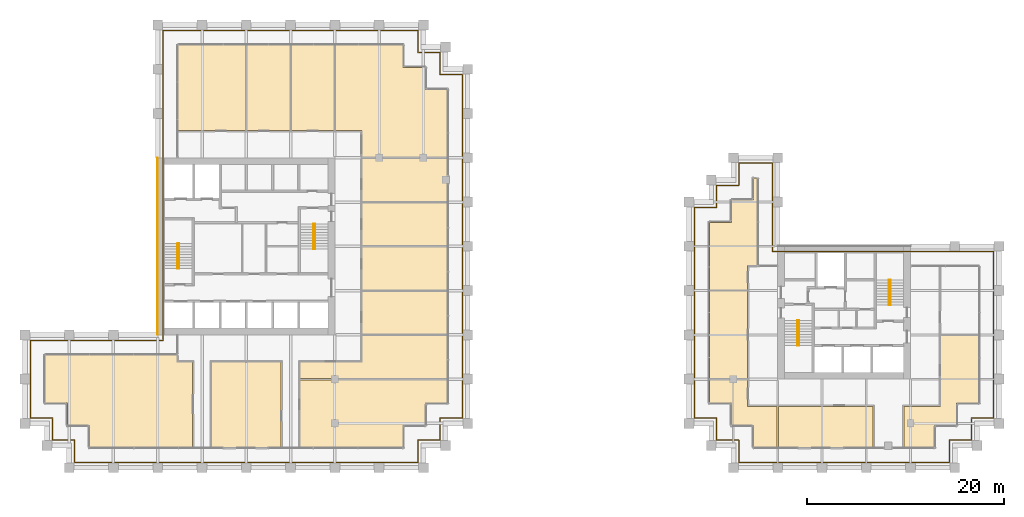
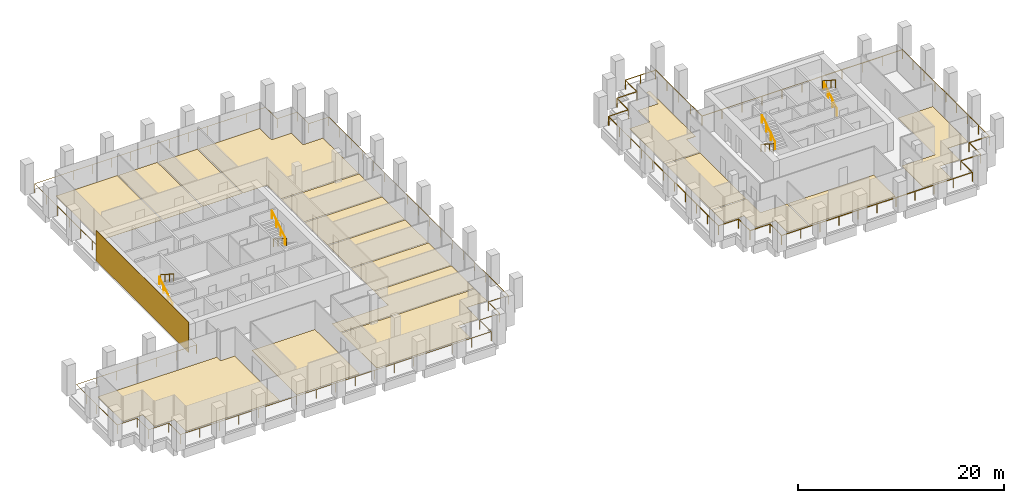
# One storey, part 45 of 46: 18 coverings, 10 railings.
"""IFC4 building model written with IfcOpenShell, lengths in metres."""

from ifc_helpers import new_model, si_unit, direction, frame, origin, origin_2d, place, context, subcontext, project, spatial, polyline, rectangle, circle, outline, extrude, source, transform, mapped, material, layer, layer_set, type_object, element, save


model = new_model("IFC4")

# Units and contexts
model_context = context("Model", 3, precision=1e-05, world=origin(), true_north=direction((0.0, 1.0)))
body_context = subcontext(model_context, "Body", "Model", "MODEL_VIEW")
ifc_project = project(units=[si_unit("LENGTHUNIT", "METRE"), si_unit("AREAUNIT", "SQUARE_METRE"), si_unit("VOLUMEUNIT", "CUBIC_METRE"), si_unit("PLANEANGLEUNIT", "RADIAN"), si_unit("MASSUNIT", "GRAM", prefix="KILO")], contexts=[model_context])

# Site, building, storey
site_placement = place(None, origin())
site = spatial("IfcSite", under=ifc_project, at=site_placement, CompositionType="ELEMENT")
building_placement = place(site_placement, origin())
building = spatial("IfcBuilding", under=site, at=building_placement, Name="Altepetl Exchange Towers", CompositionType="ELEMENT")
storey_placement = place(building_placement, frame((0.0, 0.0, 135.199951171875)))
storey = spatial("IfcBuildingStorey", under=building, at=storey_placement, Name="L33", CompositionType="ELEMENT", Elevation=135.199951171875)

# Coverings
ifc_material_1 = material(Name="Carpet tile")
ifc_layer_1 = layer(ifc_material_1, 0.02001953125)
ifc_layer_set_1 = layer_set([ifc_layer_1], Name="Carpet tile")
covering_type_1 = type_object("IfcCoveringType", Name="Carpet tile floor", PredefinedType="FLOORING", material=ifc_layer_set_1)
covering_1_placement = place(storey_placement, origin())
element("IfcCovering", 1, at=covering_1_placement, inside=storey, type_object=covering_type_1, Name="Fund office floor finish A33.05", PredefinedType="FLOORING", context=body_context, shape_type="SweptSolid", body=[
    extrude(outline(polyline([(69.9375, 44.9375), (61.262451171875, 44.9375), (61.262451171875, 40.5625), (69.9375, 40.5625), (69.9375, 44.9375)])), origin(), (0.0, 0.0, 1.0), 0.02001953125),
])
covering_2_placement = place(storey_placement, origin())
element("IfcCovering", 2, at=covering_2_placement, inside=storey, type_object=covering_type_1, Name="Meeting room floor finish A33.06", PredefinedType="FLOORING", context=body_context, shape_type="SweptSolid", body=[
    extrude(outline(polyline([(69.9375, 49.4375), (61.262451171875, 49.4375), (61.262451171875, 45.0625), (69.9375, 45.0625), (69.9375, 49.4375)])), origin(), (0.0, 0.0, 1.0), 0.02001953125),
])
covering_3_placement = place(storey_placement, origin())
element("IfcCovering", 3, at=covering_3_placement, inside=storey, type_object=covering_type_1, Name="Fund office floor finish A33.07", PredefinedType="FLOORING", context=body_context, shape_type="SweptSolid", body=[
    extrude(outline(polyline([(61.262451171875, 49.5625), (69.9375, 49.5625), (69.9375, 53.9375), (61.262451171875, 53.9375), (61.262451171875, 49.5625)])), origin(), (0.0, 0.0, 1.0), 0.02001953125),
])
covering_4_placement = place(storey_placement, origin())
element("IfcCovering", 4, at=covering_4_placement, inside=storey, type_object=covering_type_1, Name="Meeting room floor finish A33.08", PredefinedType="FLOORING", context=body_context, shape_type="SweptSolid", body=[
    extrude(outline(polyline([(61.262451171875, 54.0625), (69.9375, 54.0625), (69.9375, 58.4375), (61.262451171875, 58.4375), (61.262451171875, 54.0625)])), origin(), (0.0, 0.0, 1.0), 0.02001953125),
])
covering_5_placement = place(storey_placement, origin())
element("IfcCovering", 5, at=covering_5_placement, inside=storey, type_object=covering_type_1, Name="Fund office floor finish A33.10", PredefinedType="FLOORING", context=body_context, shape_type="SweptSolid", body=[
    extrude(outline(polyline([(58.4375, 61.262451171875), (58.4375, 69.9375), (54.0625, 69.9375), (54.0625, 61.262451171875), (58.4375, 61.262451171875)])), origin(), (0.0, 0.0, 1.0), 0.02001953125),
])
covering_6_placement = place(storey_placement, origin())
element("IfcCovering", 6, at=covering_6_placement, inside=storey, type_object=covering_type_1, Name="Meeting room floor finish A33.11", PredefinedType="FLOORING", context=body_context, shape_type="SweptSolid", body=[
    extrude(outline(polyline([(53.9375, 61.262451171875), (53.9375, 69.9375), (49.5625, 69.9375), (49.5625, 61.262451171875), (53.9375, 61.262451171875)])), origin(), (0.0, 0.0, 1.0), 0.02001953125),
])
covering_7_placement = place(storey_placement, origin())
element("IfcCovering", 7, at=covering_7_placement, inside=storey, type_object=covering_type_1, Name="Fund office floor finish B33.01", PredefinedType="FLOORING", context=body_context, shape_type="SweptSolid", body=[
    extrude(outline(polyline([(100.4375, 44.9375), (96.5625, 44.9375), (96.5625, 36.0625), (100.4375, 36.0625), (100.4375, 44.9375)])), origin(), (0.0, 0.0, 1.0), 0.02001953125),
])
covering_8_placement = place(storey_placement, origin())
element("IfcCovering", 8, at=covering_8_placement, inside=storey, type_object=covering_type_1, Name="Quiet room floor finish B33.02", PredefinedType="FLOORING", context=body_context, shape_type="SweptSolid", body=[
    extrude(outline(polyline([(100.4375, 35.9375), (96.5625, 35.9375), (96.5625, 33.5625), (98.8125, 33.5625), (98.8125, 31.3125), (101.0625, 31.3125), (101.0625, 29.0625), (103.4375, 29.0625), (103.4375, 33.237548828125), (100.4375, 33.237548828125), (100.4375, 35.9375)])), origin(), (0.0, 0.0, 1.0), 0.02001953125),
])
ifc_material_2 = material(Name="Cantera stone", Category="masonry")
ifc_layer_2 = layer(ifc_material_2, 0.030029296875)
ifc_layer_set_2 = layer_set([ifc_layer_2], Name="Cantera stone")
covering_type_2 = type_object("IfcCoveringType", Name="Polished stone floor", PredefinedType="FLOORING", material=ifc_layer_set_2)
covering_9_placement = place(storey_placement, origin())
element("IfcCovering", 9, at=covering_9_placement, inside=storey, type_object=covering_type_2, Name="Auditorium floor finish A33.01", PredefinedType="FLOORING", context=body_context, shape_type="SweptSolid", body=[
    extrude(outline(polyline([(31.3125, 33.5625), (31.3125, 31.3125), (33.5625, 31.3125), (33.5625, 29.0625), (44.03759765625, 29.0625), (44.03759765625, 37.737548828125), (42.4375, 37.737548828125), (42.4375, 38.4375), (29.0625, 38.4375), (29.0625, 33.5625), (31.3125, 33.5625)])), origin(), (0.0, 0.0, 1.0), 0.030029296875),
])
covering_10_placement = place(storey_placement, origin())
element("IfcCovering", 10, at=covering_10_placement, inside=storey, type_object=covering_type_2, Name="Cafe floor finish A33.02", PredefinedType="FLOORING", context=body_context, shape_type="SweptSolid", body=[
    extrude(outline(polyline([(45.96240234375, 37.737548828125), (45.96240234375, 29.0625), (53.03759765625, 29.0625), (53.03759765625, 37.737548828125), (45.96240234375, 37.737548828125)])), origin(), (0.0, 0.0, 1.0), 0.030029296875),
])
covering_11_placement = place(storey_placement, origin())
element("IfcCovering", 11, at=covering_11_placement, inside=storey, type_object=covering_type_2, Name="Wellness room floor finish A33.03", PredefinedType="FLOORING", context=body_context, shape_type="SweptSolid", body=[
    extrude(outline(polyline([(69.9375, 35.9375), (54.96240234375, 35.9375), (54.96240234375, 29.0625), (65.4375, 29.0625), (65.4375, 31.3125), (67.6875, 31.3125), (67.6875, 33.5625), (69.9375, 33.5625), (69.9375, 35.9375)])), origin(), (0.0, 0.0, 1.0), 0.030029296875),
])
covering_12_placement = place(storey_placement, origin())
element("IfcCovering", 12, at=covering_12_placement, inside=storey, type_object=covering_type_2, Name="Gymnasium floor finish A33.04", PredefinedType="FLOORING", context=body_context, shape_type="SweptSolid", body=[
    extrude(outline(polyline([(69.9375, 40.4375), (61.262451171875, 40.4375), (61.262451171875, 37.737548828125), (54.96240234375, 37.737548828125), (54.96240234375, 36.0625), (69.9375, 36.0625), (69.9375, 40.4375)])), origin(), (0.0, 0.0, 1.0), 0.030029296875),
])
covering_13_placement = place(storey_placement, origin())
element("IfcCovering", 13, at=covering_13_placement, inside=storey, type_object=covering_type_2, Name="Staff club floor finish A33.09", PredefinedType="FLOORING", context=body_context, shape_type="SweptSolid", body=[
    extrude(outline(polyline([(61.262451171875, 58.5625), (69.9375, 58.5625), (69.9375, 65.4375), (67.6875, 65.4375), (67.6875, 67.6875), (65.4375, 67.6875), (65.4375, 69.9375), (58.5625, 69.9375), (58.5625, 61.262451171875), (61.262451171875, 61.262451171875), (61.262451171875, 58.5625)])), origin(), (0.0, 0.0, 1.0), 0.030029296875),
])
covering_14_placement = place(storey_placement, origin())
element("IfcCovering", 14, at=covering_14_placement, inside=storey, type_object=covering_type_2, Name="Prayer room floor finish A33.12", PredefinedType="FLOORING", context=body_context, shape_type="SweptSolid", body=[
    extrude(outline(polyline([(49.4375, 61.262451171875), (49.4375, 69.9375), (42.5625, 69.9375), (42.5625, 61.262451171875), (49.4375, 61.262451171875)])), origin(), (0.0, 0.0, 1.0), 0.030029296875),
])
covering_15_placement = place(storey_placement, origin())
element("IfcCovering", 15, at=covering_15_placement, inside=storey, type_object=covering_type_2, Name="Staff club floor finish B33.03", PredefinedType="FLOORING", context=body_context, shape_type="SweptSolid", body=[
    extrude(outline(polyline([(113.1875, 33.237548828125), (103.5625, 33.237548828125), (103.5625, 29.0625), (113.1875, 29.0625), (113.1875, 33.237548828125)])), origin(), (0.0, 0.0, 1.0), 0.030029296875),
])
covering_16_placement = place(storey_placement, origin())
element("IfcCovering", 16, at=covering_16_placement, inside=storey, type_object=covering_type_2, Name="Auditorium floor finish B33.04", PredefinedType="FLOORING", context=body_context, shape_type="SweptSolid", body=[
    extrude(outline(polyline([(121.6875, 33.5625), (123.9375, 33.5625), (123.9375, 40.4375), (120.0625, 40.4375), (120.0625, 33.237548828125), (116.3125, 33.237548828125), (116.3125, 29.0625), (119.4375, 29.0625), (119.4375, 31.3125), (121.6875, 31.3125), (121.6875, 33.5625)])), origin(), (0.0, 0.0, 1.0), 0.030029296875),
])
covering_17_placement = place(storey_placement, origin())
element("IfcCovering", 17, at=covering_17_placement, inside=storey, type_object=covering_type_2, Name="Wellness room floor finish B33.06", PredefinedType="FLOORING", context=body_context, shape_type="SweptSolid", body=[
    extrude(outline(polyline([(101.0625, 56.4375), (101.0625, 54.1875), (98.8125, 54.1875), (98.8125, 51.9375), (96.5625, 51.9375), (96.5625, 45.0625), (100.4375, 45.0625), (100.4375, 47.5625), (101.4375, 47.5625), (101.4375, 56.4375), (101.0625, 56.4375)])), origin(), (0.0, 0.0, 1.0), 0.030029296875),
])
ifc_material_3 = material(Name="Cantera limestone cladding", Category="masonry")
ifc_layer_3 = layer(ifc_material_3, 0.0400390625)
ifc_layer_set_3 = layer_set([ifc_layer_3], Name="Cantera limestone cladding")
covering_type_3 = type_object("IfcCoveringType", Name="Stone panel 40 cantera", PredefinedType="CLADDING", material=ifc_layer_set_3)
covering_18_placement = place(storey_placement, frame((40.47998046875, 49.5, 0.0), z_axis=(0.0, 0.0, 1.0), x_axis=(0.0, -1.0, 0.0)))
element("IfcCovering", 18, at=covering_18_placement, inside=storey, type_object=covering_type_3, Name="Stone cladding panel", PredefinedType="CLADDING", context=body_context, shape_type="SweptSolid", body=[
    extrude(rectangle(XDim=18.0, YDim=0.0400390625, at=origin_2d()), origin(), (0.0, 0.0, 1.0), 3.60009765625),
])

# Railings
ifc_material_4 = material(Name="Steel S355", Category="steel")
railing_type_1 = type_object("IfcRailingType", Name="Guard 1100 steel posts and rail", PredefinedType="GUARDRAIL", material=ifc_material_4)
shared_shape_1 = source(origin(), body_context, "Body", "SweptSolid", [
    extrude(circle(Radius=0.02099609375, at=origin_2d()), origin(), (0.0, 0.0, 1.0), 1.052001953125),
])
railing_1_placement = place(storey_placement, frame((41.050048828125, 39.949951171875, 0.0)))
element("IfcRailing", 19, at=railing_1_placement, inside=storey, type_object=railing_type_1, Name="Loggia guard", PredefinedType="GUARDRAIL", context=body_context, shape_type="SweptSolid", body=[
    extrude(circle(Radius=0.02392578125, at=origin_2d()), frame((0.0, 0.0, 1.076171875), z_axis=(-1.0, 0.0, 0.0), x_axis=(0.0, -1.0, 0.0)), (0.0, 0.0, 1.0), 13.5),
    extrude(circle(Radius=0.02392578125, at=origin_2d()), frame((-13.5, 0.0, 1.076171875), z_axis=(0.0, -1.0, 0.0), x_axis=(1.0, 0.0, 0.0)), (0.0, 0.0, 1.0), 7.89990234375),
    extrude(circle(Radius=0.02392578125, at=origin_2d()), frame((-13.5, -7.89990234375, 1.076171875), z_axis=(1.0, 0.0, 0.0), x_axis=(0.0, 1.0, 0.0)), (0.0, 0.0, 1.0), 2.25),
    extrude(circle(Radius=0.02392578125, at=origin_2d()), frame((-11.25, -7.89990234375, 1.076171875), z_axis=(0.0, -1.0, 0.0), x_axis=(1.0, 0.0, 0.0)), (0.0, 0.0, 1.0), 2.25),
    extrude(circle(Radius=0.02392578125, at=origin_2d()), frame((-11.25, -10.14990234375, 1.076171875), z_axis=(1.0, 0.0, 0.0), x_axis=(0.0, 1.0, 0.0)), (0.0, 0.0, 1.0), 2.25),
    extrude(circle(Radius=0.02392578125, at=origin_2d()), frame((-9.0, -10.14990234375, 1.076171875), z_axis=(0.0, -1.0, 0.0), x_axis=(1.0, 0.0, 0.0)), (0.0, 0.0, 1.0), 2.25),
    extrude(circle(Radius=0.02392578125, at=origin_2d()), frame((-9.0, -12.39990234375, 1.076171875), z_axis=(1.0, 0.0, 0.0), x_axis=(0.0, 1.0, 0.0)), (0.0, 0.0, 1.0), 34.89990234375),
    extrude(circle(Radius=0.02392578125, at=origin_2d()), frame((25.89990234375, -12.39990234375, 1.076171875), z_axis=(0.0, 1.0, 0.0), x_axis=(-1.0, 0.0, 0.0)), (0.0, 0.0, 1.0), 2.25),
    extrude(circle(Radius=0.02392578125, at=origin_2d()), frame((25.89990234375, -10.14990234375, 1.076171875), z_axis=(1.0, 0.0, 0.0), x_axis=(0.0, 1.0, 0.0)), (0.0, 0.0, 1.0), 2.25),
    extrude(circle(Radius=0.02392578125, at=origin_2d()), frame((28.14990234375, -10.14990234375, 1.076171875), z_axis=(0.0, 1.0, 0.0), x_axis=(-1.0, 0.0, 0.0)), (0.0, 0.0, 1.0), 2.25),
    extrude(circle(Radius=0.02392578125, at=origin_2d()), frame((28.14990234375, -7.89990234375, 1.076171875), z_axis=(1.0, 0.0, 0.0), x_axis=(0.0, 1.0, 0.0)), (0.0, 0.0, 1.0), 2.25),
    extrude(circle(Radius=0.02392578125, at=origin_2d()), frame((30.39990234375, -7.89990234375, 1.076171875), z_axis=(0.0, 1.0, 0.0), x_axis=(-1.0, 0.0, 0.0)), (0.0, 0.0, 1.0), 34.89990234375),
    extrude(circle(Radius=0.02392578125, at=origin_2d()), frame((30.39990234375, 27.0, 1.076171875), z_axis=(-1.0, 0.0, 0.0), x_axis=(0.0, -1.0, 0.0)), (0.0, 0.0, 1.0), 2.25),
    extrude(circle(Radius=0.02392578125, at=origin_2d()), frame((28.14990234375, 27.0, 1.076171875), z_axis=(0.0, 1.0, 0.0), x_axis=(-1.0, 0.0, 0.0)), (0.0, 0.0, 1.0), 2.25),
    extrude(circle(Radius=0.02392578125, at=origin_2d()), frame((28.14990234375, 29.25, 1.076171875), z_axis=(-1.0, 0.0, 0.0), x_axis=(0.0, -1.0, 0.0)), (0.0, 0.0, 1.0), 2.25),
    extrude(circle(Radius=0.02392578125, at=origin_2d()), frame((25.89990234375, 29.25, 1.076171875), z_axis=(0.0, 1.0, 0.0), x_axis=(-1.0, 0.0, 0.0)), (0.0, 0.0, 1.0), 2.25),
    extrude(circle(Radius=0.02392578125, at=origin_2d()), frame((25.89990234375, 31.5, 1.076171875), z_axis=(-1.0, 0.0, 0.0), x_axis=(0.0, -1.0, 0.0)), (0.0, 0.0, 1.0), 25.89990234375),
    extrude(circle(Radius=0.02392578125, at=origin_2d()), frame((0.0, 31.5, 1.076171875), z_axis=(0.0, -1.0, 0.0), x_axis=(1.0, 0.0, 0.0)), (0.0, 0.0, 1.0), 31.39990234375),
    mapped(shared_shape_1, transform((0.0, 0.0, 0.0))),
    mapped(shared_shape_1, transform((-2.25, 0.0, 0.0))),
    mapped(shared_shape_1, transform((-4.5, 0.0, 0.0))),
    mapped(shared_shape_1, transform((-6.75, 0.0, 0.0))),
    mapped(shared_shape_1, transform((-9.0, 0.0, 0.0))),
    mapped(shared_shape_1, transform((-11.25, 0.0, 0.0))),
    mapped(shared_shape_1, transform((-13.5, 0.0, 0.0))),
    mapped(shared_shape_1, transform((-13.5, -1.97509765625, 0.0))),
    mapped(shared_shape_1, transform((-13.5, -3.949951171875, 0.0))),
    mapped(shared_shape_1, transform((-13.5, -5.9248046875, 0.0))),
    mapped(shared_shape_1, transform((-13.5, -7.89990234375, 0.0))),
    mapped(shared_shape_1, transform((-11.25, -7.89990234375, 0.0))),
    mapped(shared_shape_1, transform((-11.25, -10.14990234375, 0.0))),
    mapped(shared_shape_1, transform((-9.0, -10.14990234375, 0.0))),
    mapped(shared_shape_1, transform((-9.0, -12.39990234375, 0.0))),
    mapped(shared_shape_1, transform((-6.81884765625, -12.39990234375, 0.0))),
    mapped(shared_shape_1, transform((-4.637451171875, -12.39990234375, 0.0))),
    mapped(shared_shape_1, transform((-2.456298828125, -12.39990234375, 0.0))),
    mapped(shared_shape_1, transform((-0.27490234375, -12.39990234375, 0.0))),
    mapped(shared_shape_1, transform((1.90625, -12.39990234375, 0.0))),
    mapped(shared_shape_1, transform((4.08740234375, -12.39990234375, 0.0))),
    mapped(shared_shape_1, transform((6.268798828125, -12.39990234375, 0.0))),
    mapped(shared_shape_1, transform((8.449951171875, -12.39990234375, 0.0))),
    mapped(shared_shape_1, transform((10.631103515625, -12.39990234375, 0.0))),
    mapped(shared_shape_1, transform((12.8125, -12.39990234375, 0.0))),
    mapped(shared_shape_1, transform((14.99365234375, -12.39990234375, 0.0))),
    mapped(shared_shape_1, transform((17.1748046875, -12.39990234375, 0.0))),
    mapped(shared_shape_1, transform((19.356201171875, -12.39990234375, 0.0))),
    mapped(shared_shape_1, transform((21.537353515625, -12.39990234375, 0.0))),
    mapped(shared_shape_1, transform((23.71875, -12.39990234375, 0.0))),
    mapped(shared_shape_1, transform((25.89990234375, -12.39990234375, 0.0))),
    mapped(shared_shape_1, transform((25.89990234375, -10.14990234375, 0.0))),
    mapped(shared_shape_1, transform((28.14990234375, -10.14990234375, 0.0))),
    mapped(shared_shape_1, transform((28.14990234375, -7.89990234375, 0.0))),
    mapped(shared_shape_1, transform((30.39990234375, -7.89990234375, 0.0))),
    mapped(shared_shape_1, transform((30.39990234375, -5.71875, 0.0))),
    mapped(shared_shape_1, transform((30.39990234375, -3.537353515625, 0.0))),
    mapped(shared_shape_1, transform((30.39990234375, -1.356201171875, 0.0))),
    mapped(shared_shape_1, transform((30.39990234375, 0.8251953125, 0.0))),
    mapped(shared_shape_1, transform((30.39990234375, 3.00634765625, 0.0))),
    mapped(shared_shape_1, transform((30.39990234375, 5.1875, 0.0))),
    mapped(shared_shape_1, transform((30.39990234375, 7.368896484375, 0.0))),
    mapped(shared_shape_1, transform((30.39990234375, 9.550048828125, 0.0))),
    mapped(shared_shape_1, transform((30.39990234375, 11.731201171875, 0.0))),
    mapped(shared_shape_1, transform((30.39990234375, 13.91259765625, 0.0))),
    mapped(shared_shape_1, transform((30.39990234375, 16.09375, 0.0))),
    mapped(shared_shape_1, transform((30.39990234375, 18.27490234375, 0.0))),
    mapped(shared_shape_1, transform((30.39990234375, 20.456298828125, 0.0))),
    mapped(shared_shape_1, transform((30.39990234375, 22.637451171875, 0.0))),
    mapped(shared_shape_1, transform((30.39990234375, 24.81884765625, 0.0))),
    mapped(shared_shape_1, transform((30.39990234375, 27.0, 0.0))),
    mapped(shared_shape_1, transform((28.14990234375, 27.0, 0.0))),
    mapped(shared_shape_1, transform((28.14990234375, 29.25, 0.0))),
    mapped(shared_shape_1, transform((25.89990234375, 29.25, 0.0))),
    mapped(shared_shape_1, transform((25.89990234375, 31.5, 0.0))),
    mapped(shared_shape_1, transform((23.74169921875, 31.5, 0.0))),
    mapped(shared_shape_1, transform((21.583251953125, 31.5, 0.0))),
    mapped(shared_shape_1, transform((19.4248046875, 31.5, 0.0))),
    mapped(shared_shape_1, transform((17.2666015625, 31.5, 0.0))),
    mapped(shared_shape_1, transform((15.1083984375, 31.5, 0.0))),
    mapped(shared_shape_1, transform((12.949951171875, 31.5, 0.0))),
    mapped(shared_shape_1, transform((10.79150390625, 31.5, 0.0))),
    mapped(shared_shape_1, transform((8.63330078125, 31.5, 0.0))),
    mapped(shared_shape_1, transform((6.47509765625, 31.5, 0.0))),
    mapped(shared_shape_1, transform((4.316650390625, 31.5, 0.0))),
    mapped(shared_shape_1, transform((2.158203125, 31.5, 0.0))),
    mapped(shared_shape_1, transform((0.0, 31.5, 0.0))),
    mapped(shared_shape_1, transform((0.0, 29.257080078125, 0.0))),
    mapped(shared_shape_1, transform((0.0, 27.014404296875, 0.0))),
    mapped(shared_shape_1, transform((0.0, 24.771484375, 0.0))),
    mapped(shared_shape_1, transform((0.0, 22.528564453125, 0.0))),
    mapped(shared_shape_1, transform((0.0, 20.28564453125, 0.0))),
    mapped(shared_shape_1, transform((0.0, 18.04296875, 0.0))),
    mapped(shared_shape_1, transform((0.0, 15.800048828125, 0.0))),
    mapped(shared_shape_1, transform((0.0, 13.55712890625, 0.0))),
    mapped(shared_shape_1, transform((0.0, 11.314453125, 0.0))),
    mapped(shared_shape_1, transform((0.0, 9.071533203125, 0.0))),
    mapped(shared_shape_1, transform((0.0, 6.82861328125, 0.0))),
    mapped(shared_shape_1, transform((0.0, 4.585693359375, 0.0))),
    mapped(shared_shape_1, transform((0.0, 2.343017578125, 0.0))),
    mapped(shared_shape_1, transform((0.0, 0.10009765625, 0.0))),
])
railing_2_placement = place(storey_placement, frame((95.050048828125, 53.449951171875, 0.0)))
element("IfcRailing", 20, at=railing_2_placement, inside=storey, type_object=railing_type_1, Name="Loggia guard", PredefinedType="GUARDRAIL", context=body_context, shape_type="SweptSolid", body=[
    extrude(circle(Radius=0.02392578125, at=origin_2d()), frame((0.0, 0.0, 1.076171875), z_axis=(0.0, -1.0, 0.0), x_axis=(1.0, 0.0, 0.0)), (0.0, 0.0, 1.0), 21.39990234375),
    extrude(circle(Radius=0.02392578125, at=origin_2d()), frame((0.0, -21.39990234375, 1.076171875), z_axis=(1.0, 0.0, 0.0), x_axis=(0.0, 1.0, 0.0)), (0.0, 0.0, 1.0), 2.25),
    extrude(circle(Radius=0.02392578125, at=origin_2d()), frame((2.25, -21.39990234375, 1.076171875), z_axis=(0.0, -1.0, 0.0), x_axis=(1.0, 0.0, 0.0)), (0.0, 0.0, 1.0), 2.25),
    extrude(circle(Radius=0.02392578125, at=origin_2d()), frame((2.25, -23.64990234375, 1.076171875), z_axis=(1.0, 0.0, 0.0), x_axis=(0.0, 1.0, 0.0)), (0.0, 0.0, 1.0), 2.25),
    extrude(circle(Radius=0.02392578125, at=origin_2d()), frame((4.5, -23.64990234375, 1.076171875), z_axis=(0.0, -1.0, 0.0), x_axis=(1.0, 0.0, 0.0)), (0.0, 0.0, 1.0), 2.25),
    extrude(circle(Radius=0.02392578125, at=origin_2d()), frame((4.5, -25.89990234375, 1.076171875), z_axis=(1.0, 0.0, 0.0), x_axis=(0.0, 1.0, 0.0)), (0.0, 0.0, 1.0), 21.39990234375),
    extrude(circle(Radius=0.02392578125, at=origin_2d()), frame((25.89990234375, -25.89990234375, 1.076171875), z_axis=(0.0, 1.0, 0.0), x_axis=(-1.0, 0.0, 0.0)), (0.0, 0.0, 1.0), 2.25),
    extrude(circle(Radius=0.02392578125, at=origin_2d()), frame((25.89990234375, -23.64990234375, 1.076171875), z_axis=(1.0, 0.0, 0.0), x_axis=(0.0, 1.0, 0.0)), (0.0, 0.0, 1.0), 2.25),
    extrude(circle(Radius=0.02392578125, at=origin_2d()), frame((28.14990234375, -23.64990234375, 1.076171875), z_axis=(0.0, 1.0, 0.0), x_axis=(-1.0, 0.0, 0.0)), (0.0, 0.0, 1.0), 2.25),
    extrude(circle(Radius=0.02392578125, at=origin_2d()), frame((28.14990234375, -21.39990234375, 1.076171875), z_axis=(1.0, 0.0, 0.0), x_axis=(0.0, 1.0, 0.0)), (0.0, 0.0, 1.0), 2.25),
    extrude(circle(Radius=0.02392578125, at=origin_2d()), frame((30.39990234375, -21.39990234375, 1.076171875), z_axis=(0.0, 1.0, 0.0), x_axis=(-1.0, 0.0, 0.0)), (0.0, 0.0, 1.0), 16.89990234375),
    extrude(circle(Radius=0.02392578125, at=origin_2d()), frame((30.39990234375, -4.5, 1.076171875), z_axis=(-1.0, 0.0, 0.0), x_axis=(0.0, -1.0, 0.0)), (0.0, 0.0, 1.0), 22.5),
    extrude(circle(Radius=0.02392578125, at=origin_2d()), frame((7.89990234375, -4.5, 1.076171875), z_axis=(0.0, 1.0, 0.0), x_axis=(-1.0, 0.0, 0.0)), (0.0, 0.0, 1.0), 9.0),
    extrude(circle(Radius=0.02392578125, at=origin_2d()), frame((7.89990234375, 4.5, 1.076171875), z_axis=(-1.0, 0.0, 0.0), x_axis=(0.0, -1.0, 0.0)), (0.0, 0.0, 1.0), 3.39990234375),
    extrude(circle(Radius=0.02392578125, at=origin_2d()), frame((4.5, 4.5, 1.076171875), z_axis=(0.0, -1.0, 0.0), x_axis=(1.0, 0.0, 0.0)), (0.0, 0.0, 1.0), 2.25),
    extrude(circle(Radius=0.02392578125, at=origin_2d()), frame((4.5, 2.25, 1.076171875), z_axis=(-1.0, 0.0, 0.0), x_axis=(0.0, -1.0, 0.0)), (0.0, 0.0, 1.0), 2.25),
    extrude(circle(Radius=0.02392578125, at=origin_2d()), frame((2.25, 2.25, 1.076171875), z_axis=(0.0, -1.0, 0.0), x_axis=(1.0, 0.0, 0.0)), (0.0, 0.0, 1.0), 2.25),
    extrude(circle(Radius=0.02392578125, at=origin_2d()), frame((2.25, 0.0, 1.076171875), z_axis=(-1.0, 0.0, 0.0), x_axis=(0.0, -1.0, 0.0)), (0.0, 0.0, 1.0), 2.150146484375),
    mapped(shared_shape_1, transform((0.0, 0.0, 0.0))),
    mapped(shared_shape_1, transform((0.0, -2.139892578125, 0.0))),
    mapped(shared_shape_1, transform((0.0, -4.280029296875, 0.0))),
    mapped(shared_shape_1, transform((0.0, -6.419921875, 0.0))),
    mapped(shared_shape_1, transform((0.0, -8.56005859375, 0.0))),
    mapped(shared_shape_1, transform((0.0, -10.699951171875, 0.0))),
    mapped(shared_shape_1, transform((0.0, -12.83984375, 0.0))),
    mapped(shared_shape_1, transform((0.0, -14.97998046875, 0.0))),
    mapped(shared_shape_1, transform((0.0, -17.119873046875, 0.0))),
    mapped(shared_shape_1, transform((0.0, -19.260009765625, 0.0))),
    mapped(shared_shape_1, transform((0.0, -21.39990234375, 0.0))),
    mapped(shared_shape_1, transform((2.25, -21.39990234375, 0.0))),
    mapped(shared_shape_1, transform((2.25, -23.64990234375, 0.0))),
    mapped(shared_shape_1, transform((4.5, -23.64990234375, 0.0))),
    mapped(shared_shape_1, transform((4.5, -25.89990234375, 0.0))),
    mapped(shared_shape_1, transform((6.639892578125, -25.89990234375, 0.0))),
    mapped(shared_shape_1, transform((8.780029296875, -25.89990234375, 0.0))),
    mapped(shared_shape_1, transform((10.919921875, -25.89990234375, 0.0))),
    mapped(shared_shape_1, transform((13.06005859375, -25.89990234375, 0.0))),
    mapped(shared_shape_1, transform((15.199951171875, -25.89990234375, 0.0))),
    mapped(shared_shape_1, transform((17.33984375, -25.89990234375, 0.0))),
    mapped(shared_shape_1, transform((19.47998046875, -25.89990234375, 0.0))),
    mapped(shared_shape_1, transform((21.619873046875, -25.89990234375, 0.0))),
    mapped(shared_shape_1, transform((23.760009765625, -25.89990234375, 0.0))),
    mapped(shared_shape_1, transform((25.89990234375, -25.89990234375, 0.0))),
    mapped(shared_shape_1, transform((25.89990234375, -23.64990234375, 0.0))),
    mapped(shared_shape_1, transform((28.14990234375, -23.64990234375, 0.0))),
    mapped(shared_shape_1, transform((28.14990234375, -21.39990234375, 0.0))),
    mapped(shared_shape_1, transform((30.39990234375, -21.39990234375, 0.0))),
    mapped(shared_shape_1, transform((30.39990234375, -19.287353515625, 0.0))),
    mapped(shared_shape_1, transform((30.39990234375, -17.1748046875, 0.0))),
    mapped(shared_shape_1, transform((30.39990234375, -15.0625, 0.0))),
    mapped(shared_shape_1, transform((30.39990234375, -12.949951171875, 0.0))),
    mapped(shared_shape_1, transform((30.39990234375, -10.83740234375, 0.0))),
    mapped(shared_shape_1, transform((30.39990234375, -8.72509765625, 0.0))),
    mapped(shared_shape_1, transform((30.39990234375, -6.612548828125, 0.0))),
    mapped(shared_shape_1, transform((30.39990234375, -4.5, 0.0))),
    mapped(shared_shape_1, transform((28.14990234375, -4.5, 0.0))),
    mapped(shared_shape_1, transform((25.89990234375, -4.5, 0.0))),
    mapped(shared_shape_1, transform((23.64990234375, -4.5, 0.0))),
    mapped(shared_shape_1, transform((21.39990234375, -4.5, 0.0))),
    mapped(shared_shape_1, transform((19.14990234375, -4.5, 0.0))),
    mapped(shared_shape_1, transform((16.89990234375, -4.5, 0.0))),
    mapped(shared_shape_1, transform((14.64990234375, -4.5, 0.0))),
    mapped(shared_shape_1, transform((12.39990234375, -4.5, 0.0))),
    mapped(shared_shape_1, transform((10.14990234375, -4.5, 0.0))),
    mapped(shared_shape_1, transform((7.89990234375, -4.5, 0.0))),
    mapped(shared_shape_1, transform((7.89990234375, -2.25, 0.0))),
    mapped(shared_shape_1, transform((7.89990234375, 0.0, 0.0))),
    mapped(shared_shape_1, transform((7.89990234375, 2.25, 0.0))),
    mapped(shared_shape_1, transform((7.89990234375, 4.5, 0.0))),
    mapped(shared_shape_1, transform((6.199951171875, 4.5, 0.0))),
    mapped(shared_shape_1, transform((4.5, 4.5, 0.0))),
    mapped(shared_shape_1, transform((4.5, 2.25, 0.0))),
    mapped(shared_shape_1, transform((2.25, 2.25, 0.0))),
    mapped(shared_shape_1, transform((2.25, 0.0, 0.0))),
    mapped(shared_shape_1, transform((0.099853515625, 0.0, 0.0))),
])
ifc_material_5 = material(Name="Steel", Category="steel")
railing_type_2 = type_object("IfcRailingType", Name="Stair handrail 50 steel tube", PredefinedType="HANDRAIL", material=ifc_material_5)
shared_shape_2 = source(origin(), body_context, "Body", "SweptSolid", [
    extrude(circle(Radius=0.02099609375, at=origin_2d()), origin(), (0.0, 0.0, 1.0), 0.851806640625),
])
railing_3_placement = place(storey_placement, frame((42.52001953125, 47.25, 0.179931640625)))
element("IfcRailing", 21, at=railing_3_placement, inside=storey, type_object=railing_type_2, Name="Stair handrail", PredefinedType="HANDRAIL", context=body_context, shape_type="SweptSolid", body=[
    extrude(circle(Radius=0.02392578125, at=origin_2d()), frame((0.0, 0.0, 0.8759765625), z_axis=(0.0, 0.841162588446, 0.540782303519), x_axis=(-1.0, 0.0, 0.0)), (0.0, 0.0, 1.0), 2.995849609375),
    mapped(shared_shape_2, transform((0.0, 0.0, 0.0))),
    mapped(shared_shape_2, transform((0.0, 0.840087890625, 0.5400390625))),
    mapped(shared_shape_2, transform((0.0, 1.679931640625, 1.080078125))),
    mapped(shared_shape_2, transform((0.0, 2.52001953125, 1.6201171875))),
])
for number, where, name in (
    (22, (42.679931640625, 49.77001953125, 1.97998046875), "Stair handrail"),
    (23, (56.47998046875, 51.75, 0.179931640625), "Stair handrail"),
):
    element("IfcRailing", number, at=place(storey_placement, frame(where)), inside=storey, type_object=railing_type_2, Name=name, PredefinedType="HANDRAIL", context=body_context, shape_type="SweptSolid", body=[
        extrude(circle(Radius=0.02392578125, at=origin_2d()), frame((0.0, 0.0, 0.8759765625), z_axis=(0.0, -0.841162588446, 0.540782303519), x_axis=(1.0, 0.0, 0.0)), (0.0, 0.0, 1.0), 2.995849609375),
        mapped(shared_shape_2, transform((0.0, 0.0, 0.0))),
        mapped(shared_shape_2, transform((0.0, -0.840087890625, 0.5400390625))),
        mapped(shared_shape_2, transform((0.0, -1.679931640625, 1.080078125))),
        mapped(shared_shape_2, transform((0.0, -2.52001953125, 1.6201171875))),
    ])
railing_4_placement = place(storey_placement, frame((56.320068359375, 49.22998046875, 1.97998046875)))
element("IfcRailing", 24, at=railing_4_placement, inside=storey, type_object=railing_type_2, Name="Stair handrail", PredefinedType="HANDRAIL", context=body_context, shape_type="SweptSolid", body=[
    extrude(circle(Radius=0.02392578125, at=origin_2d()), frame((0.0, 0.0, 0.8759765625), z_axis=(0.0, 0.841162588446, 0.540782303519), x_axis=(-1.0, 0.0, 0.0)), (0.0, 0.0, 1.0), 2.995849609375),
    mapped(shared_shape_2, transform((0.0, 0.0, 0.0))),
    mapped(shared_shape_2, transform((0.0, 0.840087890625, 0.5400390625))),
    mapped(shared_shape_2, transform((0.0, 1.679931640625, 1.080078125))),
    mapped(shared_shape_2, transform((0.0, 2.52001953125, 1.6201171875))),
])
railing_5_placement = place(storey_placement, frame((105.52001953125, 41.949951171875, 0.179931640625)))
element("IfcRailing", 25, at=railing_5_placement, inside=storey, type_object=railing_type_2, Name="Stair handrail", PredefinedType="HANDRAIL", context=body_context, shape_type="SweptSolid", body=[
    extrude(circle(Radius=0.02392578125, at=origin_2d()), frame((0.0, 0.0, 0.8759765625), z_axis=(0.0, -0.841162588446, 0.540782303519), x_axis=(1.0, 0.0, 0.0)), (0.0, 0.0, 1.0), 2.995849609375),
    mapped(shared_shape_2, transform((0.0, 0.0, 0.0))),
    mapped(shared_shape_2, transform((0.0, -0.840087890625, 0.5400390625))),
    mapped(shared_shape_2, transform((0.0, -1.679931640625, 1.080078125))),
    mapped(shared_shape_2, transform((0.0, -2.52001953125, 1.6201171875))),
])
for number, where, name in (
    (26, (105.679931640625, 39.429931640625, 1.97998046875), "Stair handrail"),
    (27, (114.97998046875, 43.550048828125, 0.179931640625), "Stair handrail"),
):
    element("IfcRailing", number, at=place(storey_placement, frame(where)), inside=storey, type_object=railing_type_2, Name=name, PredefinedType="HANDRAIL", context=body_context, shape_type="SweptSolid", body=[
        extrude(circle(Radius=0.02392578125, at=origin_2d()), frame((0.0, 0.0, 0.8759765625), z_axis=(0.0, 0.841162588446, 0.540782303519), x_axis=(-1.0, 0.0, 0.0)), (0.0, 0.0, 1.0), 2.995849609375),
        mapped(shared_shape_2, transform((0.0, 0.0, 0.0))),
        mapped(shared_shape_2, transform((0.0, 0.840087890625, 0.5400390625))),
        mapped(shared_shape_2, transform((0.0, 1.679931640625, 1.080078125))),
        mapped(shared_shape_2, transform((0.0, 2.52001953125, 1.6201171875))),
    ])
railing_6_placement = place(storey_placement, frame((114.820068359375, 46.070068359375, 1.97998046875)))
element("IfcRailing", 28, at=railing_6_placement, inside=storey, type_object=railing_type_2, Name="Stair handrail", PredefinedType="HANDRAIL", context=body_context, shape_type="SweptSolid", body=[
    extrude(circle(Radius=0.02392578125, at=origin_2d()), frame((0.0, 0.0, 0.8759765625), z_axis=(0.0, -0.841162588446, 0.540782303519), x_axis=(1.0, 0.0, 0.0)), (0.0, 0.0, 1.0), 2.995849609375),
    mapped(shared_shape_2, transform((0.0, 0.0, 0.0))),
    mapped(shared_shape_2, transform((0.0, -0.840087890625, 0.5400390625))),
    mapped(shared_shape_2, transform((0.0, -1.679931640625, 1.080078125))),
    mapped(shared_shape_2, transform((0.0, -2.52001953125, 1.6201171875))),
])

save(model, "model.ifc")
